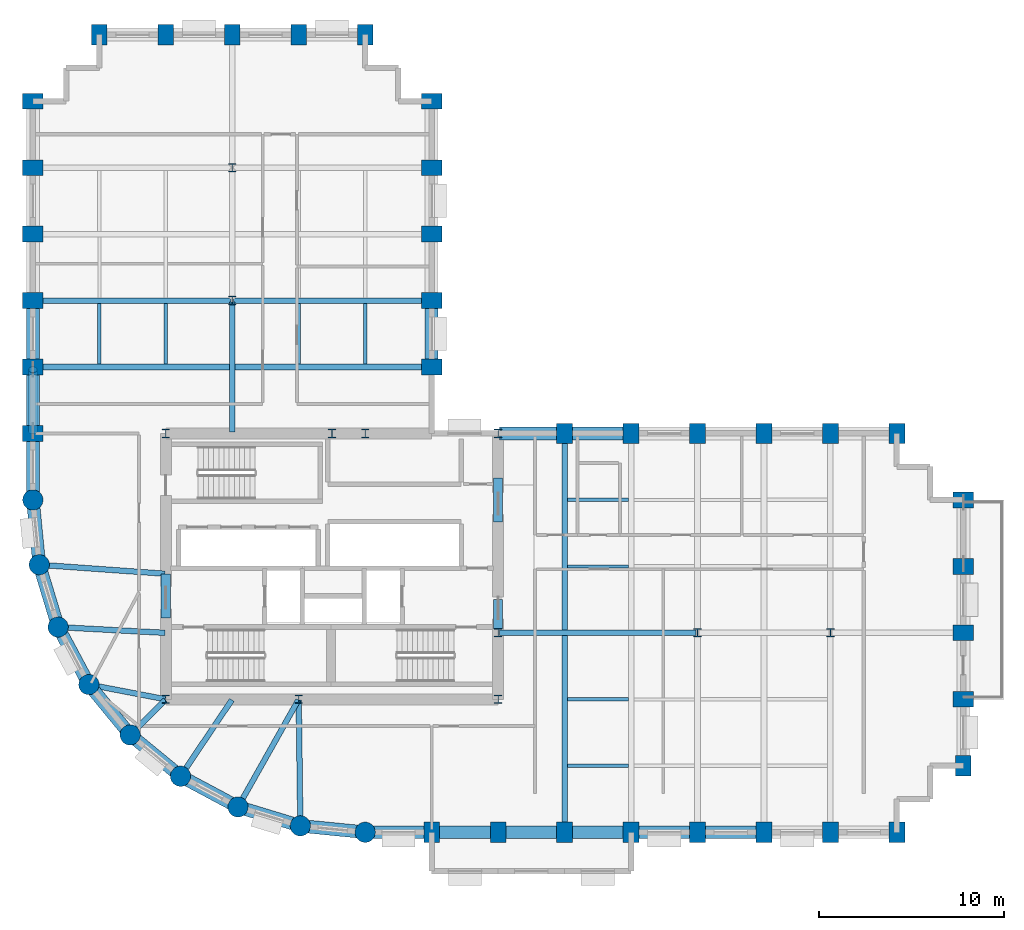
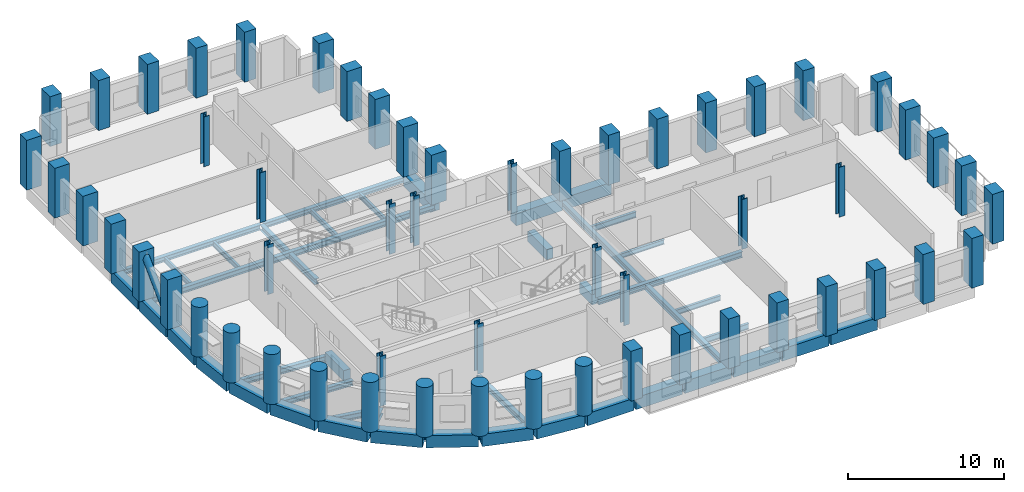
# One storey, part 1 of 10: 56 columns, 44 beams, 1 member.
"""IFC4 building model written with IfcOpenShell, lengths in metres."""

from ifc_helpers import new_model, si_unit, direction, frame, origin, origin_2d, place, context, subcontext, project, spatial, rectangle, circle, hollow_circle, i_section, extrude, material, material_profile, profile_set, type_object, element, save


model = new_model("IFC4")

# Units and contexts
model_context = context("Model", 3, precision=1e-05, world=origin(), true_north=direction((0.0, 1.0)))
body_context = subcontext(model_context, "Body", "Model", "MODEL_VIEW")
ifc_project = project(units=[si_unit("LENGTHUNIT", "METRE"), si_unit("AREAUNIT", "SQUARE_METRE"), si_unit("VOLUMEUNIT", "CUBIC_METRE"), si_unit("PLANEANGLEUNIT", "RADIAN"), si_unit("MASSUNIT", "GRAM", prefix="KILO")], contexts=[model_context])

# Site, building, storey
site_placement = place(None, origin())
site = spatial("IfcSite", under=ifc_project, at=site_placement, CompositionType="ELEMENT")
building_placement = place(site_placement, origin())
building = spatial("IfcBuilding", under=site, at=building_placement, Name="Solnavia Interchange Tower", CompositionType="ELEMENT")
storey_placement = place(building_placement, frame((0.0, 0.0, 103.5)))
storey = spatial("IfcBuildingStorey", under=building, at=storey_placement, Name="L25", CompositionType="ELEMENT", Elevation=103.5)

# Columns
ifc_material_1 = material(Name="Concrete C50/60", Category="concrete")
ifc_material_profile_1 = material_profile(ifc_material_1, rectangle(XDim=0.85009765625, YDim=1.10009765625, at=origin_2d()), Name="RC 1100x850")
ifc_profile_set_1 = profile_set([ifc_material_profile_1], Name="Concrete C50/60")
column_type_1 = type_object("IfcColumnType", Name="Col-RC-1100x850", PredefinedType="COLUMN", material=ifc_profile_set_1)
for number, where, z_axis, x_axis, name in (
    (1, (7.199951171875, 25.199951171875, 0.0), (0.0, 0.0, 1.0), (0.0, 1.0, 0.0), "COL-L25-02 Tower perim y column"),
    (2, (7.199951171875, 28.800048828125, 0.0), (0.0, 0.0, 1.0), (0.0, 1.0, 0.0), "COL-L25-03 Tower perim y column"),
    (3, (7.199951171875, 32.39990234375, 0.0), (0.0, 0.0, 1.0), (0.0, 1.0, 0.0), "COL-L25-04 Tower perim y column"),
    (4, (7.199951171875, 36.0, 0.0), (0.0, 0.0, 1.0), (0.0, 1.0, 0.0), "COL-L25-05 Tower perim y column"),
    (5, (7.199951171875, 39.60009765625, 0.0), (0.0, 0.0, 1.0), (0.0, 1.0, 0.0), "COL-L25-06 Tower perim y column"),
    (6, (7.199951171875, 43.199951171875, 0.0), (0.0, 0.0, 1.0), (0.0, 1.0, 0.0), "COL-L25-07 Tower corner column"),
    (7, (10.800048828125, 46.800048828125, 0.0), (0.0, 0.0, 1.0), (1.0, 0.0, 0.0), "COL-L25-11 Tower corner column"),
    (8, (14.39990234375, 46.800048828125, 0.0), (0.0, 0.0, 1.0), (1.0, 0.0, 0.0), "COL-L25-15 Tower perim x column"),
    (9, (18.0, 46.800048828125, 0.0), (0.0, 0.0, 1.0), (1.0, 0.0, 0.0), "COL-L25-19 Tower perim x column"),
    (10, (21.60009765625, 46.800048828125, 0.0), (0.0, 0.0, 1.0), (1.0, 0.0, 0.0), "COL-L25-22 Tower perim x column"),
    (11, (25.199951171875, 46.800048828125, 0.0), (0.0, 0.0, 1.0), (1.0, 0.0, 0.0), "COL-L25-27 Tower corner column"),
    (12, (28.800048828125, 3.60009765625, 0.0), (0.0, 0.0, 1.0), (1.0, 0.0, 0.0), "COL-L25-28 Tower perim x column"),
    (13, (28.800048828125, 28.800048828125, 0.0), (0.0, 0.0, 1.0), (0.0, 1.0, 0.0), "COL-L25-29 Tower perim y column"),
    (14, (28.800048828125, 32.39990234375, 0.0), (0.0, 0.0, 1.0), (0.0, 1.0, 0.0), "COL-L25-30 Tower perim y column"),
    (15, (28.800048828125, 36.0, 0.0), (0.0, 0.0, 1.0), (0.0, 1.0, 0.0), "COL-L25-31 Tower perim y column"),
    (16, (28.800048828125, 39.60009765625, 0.0), (0.0, 0.0, 1.0), (0.0, 1.0, 0.0), "COL-L25-32 Tower perim y column"),
    (17, (28.800048828125, 43.199951171875, 0.0), (0.0, 0.0, 1.0), (0.0, 1.0, 0.0), "COL-L25-33 Tower corner column"),
    (18, (32.39990234375, 3.60009765625, 0.0), (0.0, 0.0, 1.0), (1.0, 0.0, 0.0), "COL-L25-34 Tower perim x column"),
    (19, (36.0, 3.60009765625, 0.0), (0.0, 0.0, 1.0), (1.0, 0.0, 0.0), "COL-L25-38 Tower perim x column"),
    (20, (36.0, 25.199951171875, 0.0), (0.0, 0.0, 1.0), (1.0, 0.0, 0.0), "COL-L25-39 Tower perim x column"),
    (21, (39.60009765625, 3.60009765625, 0.0), (0.0, 0.0, 1.0), (1.0, 0.0, 0.0), "COL-L25-40 Tower perim x column"),
    (22, (39.60009765625, 25.199951171875, 0.0), (0.0, 0.0, 1.0), (1.0, 0.0, 0.0), "COL-L25-41 Tower perim x column"),
    (23, (43.199951171875, 3.60009765625, 0.0), (0.0, 0.0, 1.0), (1.0, 0.0, 0.0), "COL-L25-42 Tower perim x column"),
    (24, (43.199951171875, 25.199951171875, 0.0), (0.0, 0.0, 1.0), (1.0, 0.0, 0.0), "COL-L25-44 Tower perim x column"),
    (25, (46.800048828125, 3.60009765625, 0.0), (0.0, 0.0, 1.0), (1.0, 0.0, 0.0), "COL-L25-45 Tower perim x column"),
    (26, (46.800048828125, 25.199951171875, 0.0), (0.0, 0.0, 1.0), (1.0, 0.0, 0.0), "COL-L25-46 Tower perim x column"),
    (27, (50.39990234375, 3.60009765625, 0.0), (0.0, 0.0, 1.0), (1.0, 0.0, 0.0), "COL-L25-47 Tower perim x column"),
    (28, (50.39990234375, 25.199951171875, 0.0), (0.0, 0.0, 1.0), (1.0, 0.0, 0.0), "COL-L25-49 Tower perim x column"),
    (29, (54.0, 3.60009765625, 0.0), (0.0, 0.0, 1.0), (1.0, 0.0, 0.0), "COL-L25-50 Tower corner column"),
    (30, (54.0, 25.199951171875, 0.0), (0.0, 0.0, 1.0), (1.0, 0.0, 0.0), "COL-L25-51 Tower corner column"),
    (31, (57.60009765625, 7.199951171875, 0.0), (0.0, 0.0, 1.0), (1.0, 0.0, 0.0), "COL-L25-52 Tower corner column"),
    (32, (57.60009765625, 10.800048828125, 0.0), (0.0, 0.0, 1.0), (0.0, 1.0, 0.0), "COL-L25-53 Tower perim y column"),
    (33, (57.60009765625, 14.39990234375, 0.0), (0.0, 0.0, 1.0), (0.0, 1.0, 0.0), "COL-L25-54 Tower perim y column"),
    (34, (57.60009765625, 18.0, 0.0), (0.0, 0.0, 1.0), (0.0, 1.0, 0.0), "COL-L25-55 Tower perim y column"),
    (35, (57.60009765625, 21.60009765625, 0.0), (0.0, 0.0, 1.0), (0.0, 1.0, 0.0), "COL-L25-56 Tower corner column"),
):
    element("IfcColumn", number, at=place(storey_placement, frame(where, z_axis=z_axis, x_axis=x_axis)), inside=storey, type_object=column_type_1, Name=name, PredefinedType="COLUMN", context=body_context, shape_type="SweptSolid", body=[
        extrude(rectangle(XDim=0.85009765625, YDim=1.10009765625, at=origin_2d()), origin(), (0.0, 0.0, 1.0), 3.89990234375),
    ])
ifc_material_2 = material(Name="Concrete C60/75", Category="concrete")
ifc_material_profile_2 = material_profile(ifc_material_2, circle(Radius=0.550048828125, at=origin_2d()), Name="RC D1100")
ifc_profile_set_2 = profile_set([ifc_material_profile_2], Name="Concrete C60/75")
column_type_2 = type_object("IfcColumnType", Name="Col-RC-D1100", PredefinedType="COLUMN", material=ifc_profile_set_2)
for number, where, z_axis, x_axis, name in (
    (36, (7.199951171875, 21.60009765625, 0.0), (0.0, 0.0, 1.0), (1.0, 0.0, 0.0), "COL-L25-01 Tower drum column"),
    (37, (7.5458984375, 18.087890625, 0.0), (0.0, 0.0, 1.0), (1.0, 0.0, 0.0), "COL-L25-08 Tower drum column"),
    (38, (8.570068359375, 14.7119140625, 0.0), (0.0, 0.0, 1.0), (1.0, 0.0, 0.0), "COL-L25-09 Tower drum column"),
    (39, (10.23388671875, 11.60009765625, 0.0), (0.0, 0.0, 1.0), (1.0, 0.0, 0.0), "COL-L25-10 Tower drum column"),
    (40, (12.471923828125, 8.8720703125, 0.0), (0.0, 0.0, 1.0), (1.0, 0.0, 0.0), "COL-L25-12 Tower drum column"),
    (41, (15.199951171875, 6.634033203125, 0.0), (0.0, 0.0, 1.0), (1.0, 0.0, 0.0), "COL-L25-16 Tower drum column"),
    (42, (18.31201171875, 4.969970703125, 0.0), (0.0, 0.0, 1.0), (1.0, 0.0, 0.0), "COL-L25-20 Tower drum column"),
    (43, (21.68798828125, 3.946044921875, 0.0), (0.0, 0.0, 1.0), (1.0, 0.0, 0.0), "COL-L25-23 Tower drum column"),
    (44, (25.199951171875, 3.60009765625, 0.0), (0.0, 0.0, 1.0), (1.0, 0.0, 0.0), "COL-L25-25 Tower drum column"),
):
    element("IfcColumn", number, at=place(storey_placement, frame(where, z_axis=z_axis, x_axis=x_axis)), inside=storey, type_object=column_type_2, Name=name, PredefinedType="COLUMN", context=body_context, shape_type="SweptSolid", body=[
        extrude(circle(Radius=0.550048828125, at=origin_2d()), origin(), (0.0, 0.0, 1.0), 3.89990234375),
    ])
ifc_material_3 = material(Name="Steel S355", Category="steel")
ifc_material_profile_3 = material_profile(ifc_material_3, i_section(OverallWidth=0.424072265625, OverallDepth=0.467041015625, WebThickness=0.032958984375, FlangeThickness=0.053466796875, FilletRadius=0.014892578125, at=origin_2d()), Name="HD 400x509")
ifc_profile_set_3 = profile_set([ifc_material_profile_3], Name="Steel S355")
column_type_3 = type_object("IfcColumnType", Name="Col-Steel-HD400x509", PredefinedType="COLUMN", material=ifc_profile_set_3)
for number, where, z_axis, x_axis, name in (
    (45, (14.39990234375, 10.800048828125, 0.0), (0.0, 0.0, 1.0), (1.0, 0.0, 0.0), "COL-L25-13 Tower interior column"),
    (46, (14.39990234375, 25.199951171875, 0.0), (0.0, 0.0, 1.0), (1.0, 0.0, 0.0), "COL-L25-14 Tower interior column"),
    (47, (18.0, 32.39990234375, 0.0), (0.0, 0.0, 1.0), (1.0, 0.0, 0.0), "COL-L25-17 Tower interior column"),
    (48, (18.0, 39.60009765625, 0.0), (0.0, 0.0, 1.0), (1.0, 0.0, 0.0), "COL-L25-18 Tower interior column"),
    (49, (21.60009765625, 10.800048828125, 0.0), (0.0, 0.0, 1.0), (1.0, 0.0, 0.0), "COL-L25-21 Tower interior column"),
    (50, (23.39990234375, 25.199951171875, 0.0), (0.0, 0.0, 1.0), (1.0, 0.0, 0.0), "COL-L25-24 Tower interior column"),
    (51, (25.199951171875, 25.199951171875, 0.0), (0.0, 0.0, 1.0), (1.0, 0.0, 0.0), "COL-L25-26 Tower interior column"),
    (52, (32.39990234375, 10.800048828125, 0.0), (0.0, 0.0, 1.0), (1.0, 0.0, 0.0), "COL-L25-35 Tower interior column"),
    (53, (32.39990234375, 14.39990234375, 0.0), (0.0, 0.0, 1.0), (1.0, 0.0, 0.0), "COL-L25-36 Tower interior column"),
    (54, (32.39990234375, 25.199951171875, 0.0), (0.0, 0.0, 1.0), (1.0, 0.0, 0.0), "COL-L25-37 Tower interior column"),
    (55, (43.199951171875, 14.39990234375, 0.0), (0.0, 0.0, 1.0), (1.0, 0.0, 0.0), "COL-L25-43 Tower interior column"),
    (56, (50.39990234375, 14.39990234375, 0.0), (0.0, 0.0, 1.0), (1.0, 0.0, 0.0), "COL-L25-48 Tower interior column"),
):
    element("IfcColumn", number, at=place(storey_placement, frame(where, z_axis=z_axis, x_axis=x_axis)), inside=storey, type_object=column_type_3, Name=name, PredefinedType="COLUMN", context=body_context, shape_type="SweptSolid", body=[
        extrude(i_section(OverallWidth=0.424072265625, OverallDepth=0.467041015625, WebThickness=0.032958984375, FlangeThickness=0.053466796875, FilletRadius=0.014892578125, at=origin_2d()), origin(), (0.0, 0.0, 1.0), 3.89990234375),
    ])

# Beams
ifc_material_profile_4 = material_profile(ifc_material_1, rectangle(XDim=0.5, YDim=0.800048828125, at=origin_2d()), Name="RC 500x800")
ifc_profile_set_4 = profile_set([ifc_material_profile_4], Name="Concrete C50/60")
beam_type_1 = type_object("IfcBeamType", Name="Beam-Coupling-RC500x800", PredefinedType="LINTEL", material=ifc_profile_set_4)
beam_1_placement = place(storey_placement, frame((14.39990234375, 15.199951171875, -0.39990234375), z_axis=(0.0, 1.0, 0.0), x_axis=(-1.0, 0.0, 0.0)))
element("IfcBeam", 57, at=beam_1_placement, inside=storey, type_object=beam_type_1, Name="CPB-L25-W1 Core coupling lintel beam", PredefinedType="LINTEL", context=body_context, shape_type="SweptSolid", body=[
    extrude(rectangle(XDim=0.5, YDim=0.800048828125, at=origin_2d()), origin(), (0.0, 0.0, 1.0), 2.400146484375),
])
beam_2_placement = place(storey_placement, frame((32.39990234375, 14.60009765625, -0.39990234375), z_axis=(0.0, 1.0, 0.0), x_axis=(-1.0, 0.0, 0.0)))
element("IfcBeam", 58, at=beam_2_placement, inside=storey, type_object=beam_type_1, Name="CPB-L25-E1 Core coupling lintel beam", PredefinedType="LINTEL", context=body_context, shape_type="SweptSolid", body=[
    extrude(rectangle(XDim=0.5, YDim=0.800048828125, at=origin_2d()), origin(), (0.0, 0.0, 1.0), 1.599853515625),
])
beam_3_placement = place(storey_placement, frame((32.39990234375, 20.39990234375, -0.39990234375), z_axis=(0.0, 1.0, 0.0), x_axis=(-1.0, 0.0, 0.0)))
element("IfcBeam", 59, at=beam_3_placement, inside=storey, type_object=beam_type_1, Name="CPB-L25-E2 Core coupling lintel beam", PredefinedType="LINTEL", context=body_context, shape_type="SweptSolid", body=[
    extrude(rectangle(XDim=0.5, YDim=0.800048828125, at=origin_2d()), origin(), (0.0, 0.0, 1.0), 2.400146484375),
])
ifc_material_4 = material(Name="Steel S460", Category="steel")
ifc_material_profile_5 = material_profile(ifc_material_4, i_section(OverallWidth=0.300048828125, OverallDepth=0.449951171875, WebThickness=0.013916015625, FlangeThickness=0.02587890625, FilletRadius=0.027099609375, at=origin_2d()), Name="HEB 450")
ifc_profile_set_5 = profile_set([ifc_material_profile_5], Name="Steel S460")
beam_type_2 = type_object("IfcBeamType", Name="Beam-Girder-HEB450", PredefinedType="BEAM", material=ifc_profile_set_5)
beam_4_placement = place(storey_placement, frame((32.47998046875, 14.39990234375, -0.47509765625), z_axis=(1.0, 0.0, 0.0), x_axis=(0.0, 1.0, 0.0)))
element("IfcBeam", 60, at=beam_4_placement, inside=storey, type_object=beam_type_2, Name="GRD-L25-ES01 East wing spine girder", PredefinedType="BEAM", context=body_context, shape_type="SweptSolid", body=[
    extrude(i_section(OverallWidth=0.300048828125, OverallDepth=0.449951171875, WebThickness=0.013916015625, FlangeThickness=0.02587890625, FilletRadius=0.027099609375, at=origin_2d()), origin(), (0.0, 0.0, 1.0), 10.64013671875),
])
beam_5_placement = place(storey_placement, frame((36.0, 3.679931640625, -0.47509765625), z_axis=(0.0, 1.0, 0.0), x_axis=(-1.0, 0.0, 0.0)))
element("IfcBeam", 61, at=beam_5_placement, inside=storey, type_object=beam_type_2, Name="GRD-L25-EW04 East wing primary floor girder", PredefinedType="BEAM", context=body_context, shape_type="SweptSolid", body=[
    extrude(i_section(OverallWidth=0.300048828125, OverallDepth=0.449951171875, WebThickness=0.013916015625, FlangeThickness=0.02587890625, FilletRadius=0.027099609375, at=origin_2d()), origin(), (0.0, 0.0, 1.0), 21.440185546875),
])
beam_6_placement = place(storey_placement, frame((18.0, 25.280029296875, -0.47509765625), z_axis=(0.0, 1.0, 0.0), x_axis=(-1.0, 0.0, 0.0)))
element("IfcBeam", 62, at=beam_6_placement, inside=storey, type_object=beam_type_2, Name="GRD-L25-NS11 North wing spine girder", PredefinedType="BEAM", context=body_context, shape_type="SweptSolid", body=[
    extrude(i_section(OverallWidth=0.300048828125, OverallDepth=0.449951171875, WebThickness=0.013916015625, FlangeThickness=0.02587890625, FilletRadius=0.027099609375, at=origin_2d()), origin(), (0.0, 0.0, 1.0), 7.0400390625),
])
beam_7_placement = place(storey_placement, frame((10.3125, 11.5849609375, -0.47509765625), z_axis=(0.982057527796, -0.188581579428, 0.0), x_axis=(0.188581579428, 0.982057527796, 0.0)))
element("IfcBeam", 63, at=beam_7_placement, inside=storey, type_object=beam_type_2, Name="GRD-L25-DR22 Drum radial floor girder", PredefinedType="BEAM", context=body_context, shape_type="SweptSolid", body=[
    extrude(i_section(OverallWidth=0.300048828125, OverallDepth=0.449951171875, WebThickness=0.013916015625, FlangeThickness=0.02587890625, FilletRadius=0.027099609375, at=origin_2d()), origin(), (0.0, 0.0, 1.0), 4.1220703125),
])
beam_8_placement = place(storey_placement, frame((18.351318359375, 5.039794921875, -0.47509765625), z_axis=(0.491243158486, 0.871022479182, 0.0), x_axis=(-0.871022479182, 0.491243158486, 0.0)))
element("IfcBeam", 64, at=beam_8_placement, inside=storey, type_object=beam_type_2, Name="GRD-L25-DR25 Drum radial floor girder", PredefinedType="BEAM", context=body_context, shape_type="SweptSolid", body=[
    extrude(i_section(OverallWidth=0.300048828125, OverallDepth=0.449951171875, WebThickness=0.013916015625, FlangeThickness=0.02587890625, FilletRadius=0.027099609375, at=origin_2d()), origin(), (0.0, 0.0, 1.0), 6.5732421875),
])
ifc_material_profile_6 = material_profile(ifc_material_3, i_section(OverallWidth=0.169921875, OverallDepth=0.360107421875, WebThickness=0.008056640625, FlangeThickness=0.0126953125, FilletRadius=0.01806640625, at=origin_2d()), Name="IPE 360")
ifc_profile_set_6 = profile_set([ifc_material_profile_6], Name="Steel S355")
beam_type_3 = type_object("IfcBeamType", Name="Beam-Joist-IPE360", PredefinedType="JOIST", material=ifc_profile_set_6)
beam_9_placement = place(storey_placement, frame((36.14990234375, 18.0, -0.429931640625), z_axis=(1.0, 0.0, 0.0), x_axis=(0.0, 1.0, 0.0)))
element("IfcBeam", 65, at=beam_9_placement, inside=storey, type_object=beam_type_3, Name="JST-L25-E09 East wing secondary joist", PredefinedType="JOIST", context=body_context, shape_type="SweptSolid", body=[
    extrude(i_section(OverallWidth=0.169921875, OverallDepth=0.360107421875, WebThickness=0.008056640625, FlangeThickness=0.0126953125, FilletRadius=0.01806640625, at=origin_2d()), origin(), (0.0, 0.0, 1.0), 3.300048828125),
])
ifc_material_profile_7 = material_profile(ifc_material_3, i_section(OverallWidth=0.179931640625, OverallDepth=0.39990234375, WebThickness=0.008544921875, FlangeThickness=0.013427734375, FilletRadius=0.02099609375, at=origin_2d()), Name="IPE 400")
ifc_profile_set_7 = profile_set([ifc_material_profile_7], Name="Steel S355")
beam_type_4 = type_object("IfcBeamType", Name="Beam-Joist-IPE400", PredefinedType="JOIST", material=ifc_profile_set_7)
for number, where, z_axis, x_axis, name in (
    (66, (36.14990234375, 10.800048828125, -0.449951171875), (1.0, 0.0, 0.0), (0.0, 1.0, 0.0), "JST-L25-E05 East wing secondary joist"),
    (67, (10.800048828125, 28.949951171875, -0.449951171875), (0.0, 1.0, 0.0), (-1.0, 0.0, 0.0), "JST-L25-N17 North wing secondary joist"),
    (68, (14.39990234375, 28.949951171875, -0.449951171875), (0.0, 1.0, 0.0), (-1.0, 0.0, 0.0), "JST-L25-N20 North wing secondary joist"),
    (69, (21.60009765625, 28.949951171875, -0.449951171875), (0.0, 1.0, 0.0), (-1.0, 0.0, 0.0), "JST-L25-N23 North wing secondary joist"),
    (70, (25.199951171875, 28.949951171875, -0.449951171875), (0.0, 1.0, 0.0), (-1.0, 0.0, 0.0), "JST-L25-N26 North wing secondary joist"),
):
    element("IfcBeam", number, at=place(storey_placement, frame(where, z_axis=z_axis, x_axis=x_axis)), inside=storey, type_object=beam_type_4, Name=name, PredefinedType="JOIST", context=body_context, shape_type="SweptSolid", body=[
        extrude(i_section(OverallWidth=0.179931640625, OverallDepth=0.39990234375, WebThickness=0.008544921875, FlangeThickness=0.013427734375, FilletRadius=0.02099609375, at=origin_2d()), origin(), (0.0, 0.0, 1.0), 3.300048828125),
    ])
ifc_material_profile_8 = material_profile(ifc_material_3, i_section(OverallWidth=0.18994140625, OverallDepth=0.449951171875, WebThickness=0.009521484375, FlangeThickness=0.0146484375, FilletRadius=0.02099609375, at=origin_2d()), Name="IPE 450")
ifc_profile_set_8 = profile_set([ifc_material_profile_8], Name="Steel S355")
beam_type_5 = type_object("IfcBeamType", Name="Beam-Joist-IPE450", PredefinedType="JOIST", material=ifc_profile_set_8)
for number, where, z_axis, x_axis, name in (
    (71, (36.14990234375, 7.199951171875, -0.47509765625), (1.0, 0.0, 0.0), (0.0, 1.0, 0.0), "JST-L25-E01 East wing secondary joist"),
    (72, (36.14990234375, 21.60009765625, -0.47509765625), (1.0, 0.0, 0.0), (0.0, 1.0, 0.0), "JST-L25-E13 East wing secondary joist"),
):
    element("IfcBeam", number, at=place(storey_placement, frame(where, z_axis=z_axis, x_axis=x_axis)), inside=storey, type_object=beam_type_5, Name=name, PredefinedType="JOIST", context=body_context, shape_type="SweptSolid", body=[
        extrude(i_section(OverallWidth=0.18994140625, OverallDepth=0.449951171875, WebThickness=0.009521484375, FlangeThickness=0.0146484375, FilletRadius=0.02099609375, at=origin_2d()), origin(), (0.0, 0.0, 1.0), 3.300048828125),
    ])
ifc_material_profile_9 = material_profile(ifc_material_3, i_section(OverallWidth=0.300048828125, OverallDepth=0.389892578125, WebThickness=0.010986328125, FlangeThickness=0.01904296875, FilletRadius=0.027099609375, at=origin_2d()), Name="HEA 400")
ifc_profile_set_9 = profile_set([ifc_material_profile_9], Name="Steel S355")
beam_type_6 = type_object("IfcBeamType", Name="Beam-Primary-HEA400", PredefinedType="BEAM", material=ifc_profile_set_9)
for number, where, z_axis, x_axis, name in (
    (73, (7.280029296875, 32.39990234375, -0.445068359375), (1.0, 0.0, 0.0), (0.0, 1.0, 0.0), "GRD-L25-NW15 North wing primary floor girder"),
    (74, (18.080078125, 32.39990234375, -0.445068359375), (1.0, 0.0, 0.0), (0.0, 1.0, 0.0), "GRD-L25-NW16 North wing primary floor girder"),
):
    element("IfcBeam", number, at=place(storey_placement, frame(where, z_axis=z_axis, x_axis=x_axis)), inside=storey, type_object=beam_type_6, Name=name, PredefinedType="BEAM", context=body_context, shape_type="SweptSolid", body=[
        extrude(i_section(OverallWidth=0.300048828125, OverallDepth=0.389892578125, WebThickness=0.010986328125, FlangeThickness=0.01904296875, FilletRadius=0.027099609375, at=origin_2d()), origin(), (0.0, 0.0, 1.0), 10.639892578125),
    ])
beam_10_placement = place(storey_placement, frame((8.64990234375, 14.707763671875, -0.445068359375), z_axis=(0.998570371303, -0.053452909696, 0.0), x_axis=(0.053452909696, 0.998570371303, 0.0)))
element("IfcBeam", 75, at=beam_10_placement, inside=storey, type_object=beam_type_6, Name="GRD-L25-DR21 Drum radial floor girder", PredefinedType="BEAM", context=body_context, shape_type="SweptSolid", body=[
    extrude(i_section(OverallWidth=0.300048828125, OverallDepth=0.389892578125, WebThickness=0.010986328125, FlangeThickness=0.01904296875, FilletRadius=0.027099609375, at=origin_2d()), origin(), (0.0, 0.0, 1.0), 5.71826171875),
])
beam_11_placement = place(storey_placement, frame((15.24462890625, 6.700439453125, -0.445068359375), z_axis=(0.557835474219, 0.829951555033, 0.0), x_axis=(-0.829951555033, 0.557835474219, 0.0)))
element("IfcBeam", 76, at=beam_11_placement, inside=storey, type_object=beam_type_6, Name="GRD-L25-DR24 Drum radial floor girder", PredefinedType="BEAM", context=body_context, shape_type="SweptSolid", body=[
    extrude(i_section(OverallWidth=0.300048828125, OverallDepth=0.389892578125, WebThickness=0.010986328125, FlangeThickness=0.01904296875, FilletRadius=0.027099609375, at=origin_2d()), origin(), (0.0, 0.0, 1.0), 4.899658203125),
])
ifc_material_profile_10 = material_profile(ifc_material_3, i_section(OverallWidth=0.300048828125, OverallDepth=0.43994140625, WebThickness=0.011474609375, FlangeThickness=0.02099609375, FilletRadius=0.027099609375, at=origin_2d()), Name="HEA 450")
ifc_profile_set_10 = profile_set([ifc_material_profile_10], Name="Steel S355")
beam_type_7 = type_object("IfcBeamType", Name="Beam-Primary-HEA450", PredefinedType="BEAM", material=ifc_profile_set_10)
beam_12_placement = place(storey_placement, frame((7.280029296875, 28.800048828125, -0.469970703125), z_axis=(1.0, 0.0, 0.0), x_axis=(0.0, 1.0, 0.0)))
element("IfcBeam", 77, at=beam_12_placement, inside=storey, type_object=beam_type_7, Name="GRD-L25-NW14 North wing primary floor girder", PredefinedType="BEAM", context=body_context, shape_type="SweptSolid", body=[
    extrude(i_section(OverallWidth=0.300048828125, OverallDepth=0.43994140625, WebThickness=0.011474609375, FlangeThickness=0.02099609375, FilletRadius=0.027099609375, at=origin_2d()), origin(), (0.0, 0.0, 1.0), 21.43994140625),
])
beam_13_placement = place(storey_placement, frame((7.625732421875, 18.082275390625, -0.469970703125), z_axis=(0.99747482749, -0.071020902015, 0.0), x_axis=(0.071020902015, 0.99747482749, 0.0)))
element("IfcBeam", 78, at=beam_13_placement, inside=storey, type_object=beam_type_7, Name="GRD-L25-DR20 Drum radial floor girder", PredefinedType="BEAM", context=body_context, shape_type="SweptSolid", body=[
    extrude(i_section(OverallWidth=0.300048828125, OverallDepth=0.43994140625, WebThickness=0.011474609375, FlangeThickness=0.02099609375, FilletRadius=0.027099609375, at=origin_2d()), origin(), (0.0, 0.0, 1.0), 6.75146484375),
])
beam_14_placement = place(storey_placement, frame((12.528564453125, 8.9287109375, -0.469970703125), z_axis=(0.707106781187, 0.707106781187, 0.0), x_axis=(-0.707106781187, 0.707106781187, 0.0)))
element("IfcBeam", 79, at=beam_14_placement, inside=storey, type_object=beam_type_7, Name="GRD-L25-DR23 Drum radial floor girder", PredefinedType="BEAM", context=body_context, shape_type="SweptSolid", body=[
    extrude(i_section(OverallWidth=0.300048828125, OverallDepth=0.43994140625, WebThickness=0.011474609375, FlangeThickness=0.02099609375, FilletRadius=0.027099609375, at=origin_2d()), origin(), (0.0, 0.0, 1.0), 2.6064453125),
])
beam_15_placement = place(storey_placement, frame((21.68701171875, 4.02587890625, -0.469970703125), z_axis=(-0.01283293513, 0.999917654498, 0.0), x_axis=(-0.999917654498, -0.01283293513, 0.0)))
element("IfcBeam", 80, at=beam_15_placement, inside=storey, type_object=beam_type_7, Name="GRD-L25-DR26 Drum radial floor girder", PredefinedType="BEAM", context=body_context, shape_type="SweptSolid", body=[
    extrude(i_section(OverallWidth=0.300048828125, OverallDepth=0.43994140625, WebThickness=0.011474609375, FlangeThickness=0.02099609375, FilletRadius=0.027099609375, at=origin_2d()), origin(), (0.0, 0.0, 1.0), 6.734619140625),
])
ifc_material_profile_11 = material_profile(ifc_material_1, rectangle(XDim=0.699951171875, YDim=0.949951171875, at=origin_2d()), Name="RC 700x950")
ifc_profile_set_11 = profile_set([ifc_material_profile_11], Name="Concrete C50/60")
beam_type_8 = type_object("IfcBeamType", Name="Beam-Spandrel-RC700x950", PredefinedType="SPANDREL", material=ifc_profile_set_11)
beam_16_placement = place(storey_placement, frame((7.207763671875, 21.5205078125, -0.47509765625), z_axis=(0.098040038117, -0.995182471171, 0.0), x_axis=(0.995182471171, 0.098040038117, 0.0)))
element("IfcBeam", 81, at=beam_16_placement, inside=storey, type_object=beam_type_8, Name="SPB-L25-01 Framed-tube perimeter spandrel beam", PredefinedType="SPANDREL", context=body_context, shape_type="SweptSolid", body=[
    extrude(rectangle(XDim=0.699951171875, YDim=0.949951171875, at=origin_2d()), origin(), (0.0, 0.0, 1.0), 3.369140625),
])
beam_17_placement = place(storey_placement, frame((7.569091796875, 18.011474609375, -0.47509765625), z_axis=(0.290319223646, -0.956929855518, 0.0), x_axis=(0.956929855518, 0.290319223646, 0.0)))
element("IfcBeam", 82, at=beam_17_placement, inside=storey, type_object=beam_type_8, Name="SPB-L25-02 Framed-tube perimeter spandrel beam", PredefinedType="SPANDREL", context=body_context, shape_type="SweptSolid", body=[
    extrude(rectangle(XDim=0.699951171875, YDim=0.949951171875, at=origin_2d()), origin(), (0.0, 0.0, 1.0), 3.367919921875),
])
beam_18_placement = place(storey_placement, frame((8.607666015625, 14.6416015625, -0.47509765625), z_axis=(0.471509422952, -0.881861023102, 0.0), x_axis=(0.881861023102, 0.471509422952, 0.0)))
element("IfcBeam", 83, at=beam_18_placement, inside=storey, type_object=beam_type_8, Name="SPB-L25-03 Framed-tube perimeter spandrel beam", PredefinedType="SPANDREL", context=body_context, shape_type="SweptSolid", body=[
    extrude(rectangle(XDim=0.699951171875, YDim=0.949951171875, at=origin_2d()), origin(), (0.0, 0.0, 1.0), 3.369140625),
])
for number, where, z_axis, x_axis, name in (
    (84, (10.28466796875, 11.5380859375, -0.47509765625), (0.634298841675, -0.773087950656, 0.0), (0.773087950656, 0.634298841675, 0.0), "SPB-L25-04 Framed-tube perimeter spandrel beam"),
    (85, (12.53369140625, 8.8212890625, -0.47509765625), (0.773152644452, -0.634219984214, 0.0), (0.634219984214, 0.773152644452, 0.0), "SPB-L25-05 Framed-tube perimeter spandrel beam"),
):
    element("IfcBeam", number, at=place(storey_placement, frame(where, z_axis=z_axis, x_axis=x_axis)), inside=storey, type_object=beam_type_8, Name=name, PredefinedType="SPANDREL", context=body_context, shape_type="SweptSolid", body=[
        extrude(rectangle(XDim=0.699951171875, YDim=0.949951171875, at=origin_2d()), origin(), (0.0, 0.0, 1.0), 3.36865234375),
    ])
beam_19_placement = place(storey_placement, frame((15.2705078125, 6.59619140625, -0.47509765625), z_axis=(0.881875044348, -0.47148319817, 0.0), x_axis=(0.47148319817, 0.881875044348, 0.0)))
element("IfcBeam", 86, at=beam_19_placement, inside=storey, type_object=beam_type_8, Name="SPB-L25-06 Framed-tube perimeter spandrel beam", PredefinedType="SPANDREL", context=body_context, shape_type="SweptSolid", body=[
    extrude(rectangle(XDim=0.699951171875, YDim=0.949951171875, at=origin_2d()), origin(), (0.0, 0.0, 1.0), 3.368896484375),
])
beam_20_placement = place(storey_placement, frame((18.388671875, 4.94677734375, -0.47509765625), z_axis=(0.956943884494, -0.290272978297, 0.0), x_axis=(0.290272978297, 0.956943884494, 0.0)))
element("IfcBeam", 87, at=beam_20_placement, inside=storey, type_object=beam_type_8, Name="SPB-L25-07 Framed-tube perimeter spandrel beam", PredefinedType="SPANDREL", context=body_context, shape_type="SweptSolid", body=[
    extrude(rectangle(XDim=0.699951171875, YDim=0.949951171875, at=origin_2d()), origin(), (0.0, 0.0, 1.0), 3.36767578125),
])
beam_21_placement = place(storey_placement, frame((21.767578125, 3.938232421875, -0.47509765625), z_axis=(0.995181774609, -0.098047108501, 0.0), x_axis=(0.098047108501, 0.995181774609, 0.0)))
element("IfcBeam", 88, at=beam_21_placement, inside=storey, type_object=beam_type_8, Name="SPB-L25-08 Framed-tube perimeter spandrel beam", PredefinedType="SPANDREL", context=body_context, shape_type="SweptSolid", body=[
    extrude(rectangle(XDim=0.699951171875, YDim=0.949951171875, at=origin_2d()), origin(), (0.0, 0.0, 1.0), 3.368896484375),
])
beam_22_placement = place(storey_placement, frame((25.280029296875, 3.60009765625, -0.47509765625), z_axis=(1.0, 0.0, 0.0), x_axis=(0.0, 1.0, 0.0)))
element("IfcBeam", 89, at=beam_22_placement, inside=storey, type_object=beam_type_8, Name="SPB-L25-09 Framed-tube perimeter spandrel beam", PredefinedType="SPANDREL", context=body_context, shape_type="SweptSolid", body=[
    extrude(rectangle(XDim=0.699951171875, YDim=0.949951171875, at=origin_2d()), origin(), (0.0, 0.0, 1.0), 3.43994140625),
])
beam_23_placement = place(storey_placement, frame((28.8798828125, 3.60009765625, -0.47509765625), z_axis=(1.0, 0.0, 0.0), x_axis=(0.0, 1.0, 0.0)))
element("IfcBeam", 90, at=beam_23_placement, inside=storey, type_object=beam_type_8, Name="SPB-L25-10 Framed-tube perimeter spandrel beam", PredefinedType="SPANDREL", context=body_context, shape_type="SweptSolid", body=[
    extrude(rectangle(XDim=0.699951171875, YDim=0.949951171875, at=origin_2d()), origin(), (0.0, 0.0, 1.0), 3.440185546875),
])
for number, where, z_axis, x_axis, name in (
    (91, (32.47998046875, 3.60009765625, -0.47509765625), (1.0, 0.0, 0.0), (0.0, 1.0, 0.0), "SPB-L25-11 Framed-tube perimeter spandrel beam"),
    (92, (36.080078125, 3.60009765625, -0.47509765625), (1.0, 0.0, 0.0), (0.0, 1.0, 0.0), "SPB-L25-12 Framed-tube perimeter spandrel beam"),
):
    element("IfcBeam", number, at=place(storey_placement, frame(where, z_axis=z_axis, x_axis=x_axis)), inside=storey, type_object=beam_type_8, Name=name, PredefinedType="SPANDREL", context=body_context, shape_type="SweptSolid", body=[
        extrude(rectangle(XDim=0.699951171875, YDim=0.949951171875, at=origin_2d()), origin(), (0.0, 0.0, 1.0), 3.43994140625),
    ])
beam_24_placement = place(storey_placement, frame((39.679931640625, 3.60009765625, -0.47509765625), z_axis=(1.0, 0.0, 0.0), x_axis=(0.0, 1.0, 0.0)))
element("IfcBeam", 93, at=beam_24_placement, inside=storey, type_object=beam_type_8, Name="SPB-L25-13 Framed-tube perimeter spandrel beam", PredefinedType="SPANDREL", context=body_context, shape_type="SweptSolid", body=[
    extrude(rectangle(XDim=0.699951171875, YDim=0.949951171875, at=origin_2d()), origin(), (0.0, 0.0, 1.0), 3.440185546875),
])
for number, where, z_axis, x_axis, name in (
    (94, (43.280029296875, 3.60009765625, -0.47509765625), (1.0, 0.0, 0.0), (0.0, 1.0, 0.0), "SPB-L25-14 Framed-tube perimeter spandrel beam"),
    (95, (39.52001953125, 25.199951171875, -0.47509765625), (-1.0, 0.0, 0.0), (0.0, -1.0, 0.0), "SPB-L25-25 Framed-tube perimeter spandrel beam"),
    (96, (35.919921875, 25.199951171875, -0.47509765625), (-1.0, 0.0, 0.0), (0.0, -1.0, 0.0), "SPB-L25-26 Framed-tube perimeter spandrel beam"),
):
    element("IfcBeam", number, at=place(storey_placement, frame(where, z_axis=z_axis, x_axis=x_axis)), inside=storey, type_object=beam_type_8, Name=name, PredefinedType="SPANDREL", context=body_context, shape_type="SweptSolid", body=[
        extrude(rectangle(XDim=0.699951171875, YDim=0.949951171875, at=origin_2d()), origin(), (0.0, 0.0, 1.0), 3.43994140625),
    ])
for number, where, z_axis, x_axis, name in (
    (97, (28.800048828125, 28.8798828125, -0.47509765625), (0.0, 1.0, 0.0), (-1.0, 0.0, 0.0), "SPB-L25-27 Framed-tube perimeter spandrel beam"),
    (98, (7.199951171875, 32.320068359375, -0.47509765625), (0.0, -1.0, 0.0), (1.0, 0.0, 0.0), "SPB-L25-38 Framed-tube perimeter spandrel beam"),
):
    element("IfcBeam", number, at=place(storey_placement, frame(where, z_axis=z_axis, x_axis=x_axis)), inside=storey, type_object=beam_type_8, Name=name, PredefinedType="SPANDREL", context=body_context, shape_type="SweptSolid", body=[
        extrude(rectangle(XDim=0.699951171875, YDim=0.949951171875, at=origin_2d()), origin(), (0.0, 0.0, 1.0), 3.440185546875),
    ])
beam_25_placement = place(storey_placement, frame((7.199951171875, 28.719970703125, -0.47509765625), z_axis=(0.0, -1.0, 0.0), x_axis=(1.0, 0.0, 0.0)))
element("IfcBeam", 99, at=beam_25_placement, inside=storey, type_object=beam_type_8, Name="SPB-L25-39 Framed-tube perimeter spandrel beam", PredefinedType="SPANDREL", context=body_context, shape_type="SweptSolid", body=[
    extrude(rectangle(XDim=0.699951171875, YDim=0.949951171875, at=origin_2d()), origin(), (0.0, 0.0, 1.0), 3.43994140625),
])
beam_26_placement = place(storey_placement, frame((7.199951171875, 25.1201171875, -0.47509765625), z_axis=(0.0, -1.0, 0.0), x_axis=(1.0, 0.0, 0.0)))
element("IfcBeam", 100, at=beam_26_placement, inside=storey, type_object=beam_type_8, Name="SPB-L25-40 Framed-tube perimeter spandrel beam", PredefinedType="SPANDREL", context=body_context, shape_type="SweptSolid", body=[
    extrude(rectangle(XDim=0.699951171875, YDim=0.949951171875, at=origin_2d()), origin(), (0.0, 0.0, 1.0), 3.440185546875),
])

# Member
ifc_material_profile_12 = material_profile(ifc_material_4, hollow_circle(Radius=0.25390625, WallThickness=0.02490234375, at=origin_2d()), Name="CHS 508x25")
ifc_profile_set_12 = profile_set([ifc_material_profile_12], Name="Steel S460")
member_type = type_object("IfcMemberType", Name="Brace-Perim-CHS508", PredefinedType="BRACE", material=ifc_profile_set_12)
member_placement = place(storey_placement, frame((7.199951171875, 25.340087890625, 0.179931640625), z_axis=(0.0, 0.710285911997, 0.703913292401), x_axis=(-1.0, 0.0, 0.0)))
element("IfcMember", 101, at=member_placement, inside=storey, type_object=member_type, Name="BRC-L25-01 Perimeter tube diagonal brace", PredefinedType="BRACE", context=body_context, shape_type="SweptSolid", body=[
    extrude(hollow_circle(Radius=0.25390625, WallThickness=0.02490234375, at=origin_2d()), origin(), (0.0, 0.0, 1.0), 4.673828125),
])

save(model, "model.ifc")
